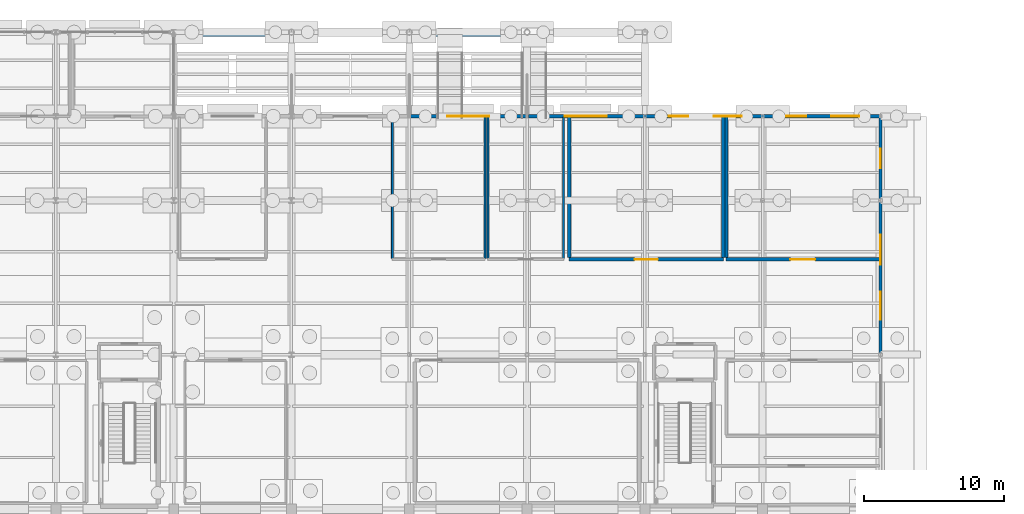
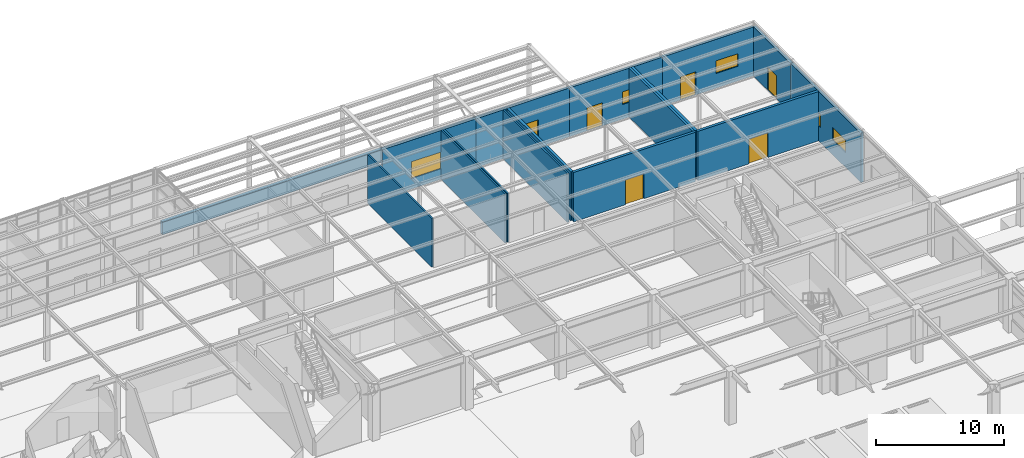
# One storey, part 110 of 129: 16 walls, 6 windows, 5 doors, 11 openings.
"""IFC4 building model written with IfcOpenShell, lengths in metres."""

from ifc_helpers import new_model, si_unit, direction, frame, frame_2d, origin, place, context, subcontext, project, spatial, rectangle, extrude, material, layer, layer_set, type_object, element, fill, save


model = new_model("IFC4")

# Units and contexts
model_context = context("Model", 3, precision=1e-05, world=origin(), true_north=direction((0.0, 1.0)))
body_context = subcontext(model_context, "Body", "Model", "MODEL_VIEW")
ifc_project = project(units=[si_unit("LENGTHUNIT", "METRE"), si_unit("AREAUNIT", "SQUARE_METRE"), si_unit("VOLUMEUNIT", "CUBIC_METRE"), si_unit("PLANEANGLEUNIT", "RADIAN"), si_unit("MASSUNIT", "GRAM", prefix="KILO")], contexts=[model_context])

# Site, building, storey
site_placement = place(None, origin())
site = spatial("IfcSite", under=ifc_project, at=site_placement, CompositionType="ELEMENT")
building_placement = place(site_placement, origin())
building = spatial("IfcBuilding", under=site, at=building_placement, Name="Sitalva Quay Ferry Terminal", CompositionType="ELEMENT")
storey_placement = place(building_placement, origin())
storey = spatial("IfcBuildingStorey", under=building, at=storey_placement, Name="L01", CompositionType="ELEMENT", Elevation=0.0)

# Wall, opening, window
ifc_material_1 = material(Name="Insulated Precast Concrete C40/50", Category="concrete")
ifc_layer_1 = layer(ifc_material_1, 0.239990234375)
ifc_layer_set_1 = layer_set([ifc_layer_1], Name="Insulated Precast Concrete C40/50")
wall_type_1 = type_object("IfcWallType", Name="Wall_ExtClad_240", PredefinedType="ELEMENTEDWALL", material=ifc_layer_set_1)
wall_1_placement = place(storey_placement, frame((134.485107421875, 106.0, 0.0), z_axis=(0.0, 0.0, 1.0), x_axis=(1.0, 0.0, 0.0)))
wall_1 = element("IfcWall", 1, at=wall_1_placement, inside=storey, type_object=wall_type_1, Name="L01 north-east landside facade EW-L01-148", PredefinedType="ELEMENTEDWALL", context=body_context, shape_type="SweptSolid", body=[
    extrude(rectangle(XDim=8.411865234375, YDim=0.239990234375, at=frame_2d((4.2060546875, 0.0))), origin(), (0.0, 0.0, 1.0), 4.657958984375),
])
opening_1_placement = place(wall_1_placement, frame((2.614990234375, 0.0, 1.0)))
opening_1 = element("IfcOpeningElement", 2, at=opening_1_placement, cuts=wall_1, Name="Opening WN-L01-020", PredefinedType="OPENING", context=body_context, shape_type="SweptSolid", body=[
    extrude(rectangle(XDim=3.0, YDim=1.60009765625, at=frame_2d((1.5, 0.800048828125))), frame((0.0, 0.1298828125, 0.0), z_axis=(0.0, -1.0, 0.0), x_axis=(1.0, 0.0, 0.0)), (0.0, 0.0, 1.0), 0.260009765625),
])
ifc_material_2 = material(Name="Anodised Aluminium & Low-E Glass", Category="aluminium")
window_type_1 = type_object("IfcWindowType", Name="Win_Ribbon_3000x1600", PartitioningType="SINGLE_PANEL", PredefinedType="WINDOW", material=ifc_material_2)
window_1_placement = place(opening_1_placement, origin())
window_1 = element("IfcWindow", 3, at=window_1_placement, inside=storey, type_object=window_type_1, Name="Landside north-east ribbon window WN-L01-020", OverallHeight=1.60009765625, OverallWidth=3.0, PartitioningType="SINGLE_PANEL", PredefinedType="WINDOW", context=body_context, shape_type="SweptSolid", body=[
    extrude(rectangle(XDim=3.0, YDim=1.60009765625, at=frame_2d((1.5, 0.800048828125))), frame((0.0, 0.030029296875, 0.0), z_axis=(0.0, -1.0, 0.0), x_axis=(1.0, 0.0, 0.0)), (0.0, 0.0, 1.0), 0.06005859375),
])
fill(opening_1, window_1)

wall_2_placement = place(storey_placement, frame((142.885009765625, 106.0, 0.0), z_axis=(0.0, 0.0, 1.0), x_axis=(1.0, 0.0, 0.0)))
wall_2 = element("IfcWall", 4, at=wall_2_placement, inside=storey, type_object=wall_type_1, Name="L01 north-east landside facade EW-L01-149", PredefinedType="ELEMENTEDWALL", context=body_context, shape_type="SweptSolid", body=[
    extrude(rectangle(XDim=8.412109375, YDim=0.239990234375, at=frame_2d((4.2060546875, 0.0))), origin(), (0.0, 0.0, 1.0), 4.657958984375),
])
opening_2_placement = place(wall_2_placement, frame((2.614990234375, 0.0, 1.0)))
opening_2 = element("IfcOpeningElement", 5, at=opening_2_placement, cuts=wall_2, Name="Opening WN-L01-021", PredefinedType="OPENING", context=body_context, shape_type="SweptSolid", body=[
    extrude(rectangle(XDim=3.0, YDim=1.60009765625, at=frame_2d((1.5, 0.800048828125))), frame((0.0, 0.1298828125, 0.0), z_axis=(0.0, -1.0, 0.0), x_axis=(1.0, 0.0, 0.0)), (0.0, 0.0, 1.0), 0.260009765625),
])
window_2_placement = place(opening_2_placement, origin())
window_2 = element("IfcWindow", 6, at=window_2_placement, inside=storey, type_object=window_type_1, Name="Landside north-east ribbon window WN-L01-021", OverallHeight=1.60009765625, OverallWidth=3.0, PartitioningType="SINGLE_PANEL", PredefinedType="WINDOW", context=body_context, shape_type="SweptSolid", body=[
    extrude(rectangle(XDim=3.0, YDim=1.60009765625, at=frame_2d((1.5, 0.800048828125))), frame((0.0, 0.030029296875, 0.0), z_axis=(0.0, -1.0, 0.0), x_axis=(1.0, 0.0, 0.0)), (0.0, 0.0, 1.0), 0.06005859375),
])
fill(opening_2, window_2)

# Wall, openings, door, window
wall_3_placement = place(storey_placement, frame((151.284912109375, 106.0, 0.0), z_axis=(0.0, 0.0, 1.0), x_axis=(1.0, 0.0, 0.0)))
wall_3 = element("IfcWall", 7, at=wall_3_placement, inside=storey, type_object=wall_type_1, Name="L01 north-east landside facade EW-L01-150", PredefinedType="ELEMENTEDWALL", context=body_context, shape_type="SweptSolid", body=[
    extrude(rectangle(XDim=8.412109375, YDim=0.239990234375, at=frame_2d((4.2060546875, 0.0))), origin(), (0.0, 0.0, 1.0), 4.657958984375),
])
opening_3_placement = place(wall_3_placement, frame((1.614990234375, 0.0, 0.0)))
opening_3 = element("IfcOpeningElement", 8, at=opening_3_placement, cuts=wall_3, Name="Opening ED-L01-029", PredefinedType="OPENING", context=body_context, shape_type="SweptSolid", body=[
    extrude(rectangle(XDim=1.39990234375, YDim=2.199951171875, at=frame_2d((0.699951171875, 1.10009765625))), frame((0.0, 0.1298828125, 0.0), z_axis=(0.0, -1.0, 0.0), x_axis=(1.0, 0.0, 0.0)), (0.0, 0.0, 1.0), 0.260009765625),
])
opening_4_placement = place(wall_3_placement, frame((4.81494140625, 0.0, 1.39990234375)))
opening_4 = element("IfcOpeningElement", 9, at=opening_4_placement, cuts=wall_3, Name="Opening WN-L01-022", PredefinedType="OPENING", context=body_context, shape_type="SweptSolid", body=[
    extrude(rectangle(XDim=2.0, YDim=1.199951171875, at=frame_2d((1.0, 0.60009765625))), frame((0.0, 0.1298828125, 0.0), z_axis=(0.0, -1.0, 0.0), x_axis=(1.0, 0.0, 0.0)), (0.0, 0.0, 1.0), 0.260009765625),
])
ifc_material_3 = material(Name="Galvanised Louvred Steel", Category="steel")
door_type_1 = type_object("IfcDoorType", Name="Door_PlantExt_1400x2200", OperationType="DOUBLE_DOOR_SINGLE_SWING", PredefinedType="DOOR", material=ifc_material_3)
door_1_placement = place(opening_3_placement, origin())
door_1 = element("IfcDoor", 10, at=door_1_placement, inside=storey, type_object=door_type_1, Name="EDOOR-ED-L01-029 MEP plant yard service door ED-L01-029", OperationType="DOUBLE_DOOR_SINGLE_SWING", OverallHeight=2.199951171875, OverallWidth=1.39990234375, PredefinedType="DOOR", context=body_context, shape_type="SweptSolid", body=[
    extrude(rectangle(XDim=1.39990234375, YDim=2.199951171875, at=frame_2d((0.699951171875, 1.10009765625))), frame((0.0, 0.02490234375, 0.0), z_axis=(0.0, -1.0, 0.0), x_axis=(1.0, 0.0, 0.0)), (0.0, 0.0, 1.0), 0.050048828125),
])
fill(opening_3, door_1)
ifc_material_4 = material(Name="Marine Aluminium Acoustic Louvre", Category="aluminium")
window_type_2 = type_object("IfcWindowType", Name="Win_LouvredVent_2000x1200", PartitioningType="SINGLE_PANEL", PredefinedType="WINDOW", material=ifc_material_4)
window_3_placement = place(opening_4_placement, origin())
window_3 = element("IfcWindow", 11, at=window_3_placement, inside=storey, type_object=window_type_2, Name="Plant acoustic intake louvre WN-L01-022", OverallHeight=1.199951171875, OverallWidth=2.0, PartitioningType="SINGLE_PANEL", PredefinedType="WINDOW", context=body_context, shape_type="SweptSolid", body=[
    extrude(rectangle(XDim=2.0, YDim=1.199951171875, at=frame_2d((1.0, 0.60009765625))), frame((0.0, 0.030029296875, 0.0), z_axis=(0.0, -1.0, 0.0), x_axis=(1.0, 0.0, 0.0)), (0.0, 0.0, 1.0), 0.06005859375),
])
fill(opening_4, window_3)

wall_4_placement = place(storey_placement, frame((159.68505859375, 106.0, 0.0), z_axis=(0.0, 0.0, 1.0), x_axis=(1.0, 0.0, 0.0)))
wall_4 = element("IfcWall", 12, at=wall_4_placement, inside=storey, type_object=wall_type_1, Name="L01 north-east landside facade EW-L01-151", PredefinedType="ELEMENTEDWALL", context=body_context, shape_type="SweptSolid", body=[
    extrude(rectangle(XDim=8.22998046875, YDim=0.239990234375, at=frame_2d((4.114990234375, 0.0))), origin(), (0.0, 0.0, 1.0), 4.657958984375),
])
opening_5_placement = place(wall_4_placement, frame((1.614990234375, 0.0, 0.0)))
opening_5 = element("IfcOpeningElement", 13, at=opening_5_placement, cuts=wall_4, Name="Opening ED-L01-030", PredefinedType="OPENING", context=body_context, shape_type="SweptSolid", body=[
    extrude(rectangle(XDim=1.39990234375, YDim=2.199951171875, at=frame_2d((0.699951171875, 1.10009765625))), frame((0.0, 0.1298828125, 0.0), z_axis=(0.0, -1.0, 0.0), x_axis=(1.0, 0.0, 0.0)), (0.0, 0.0, 1.0), 0.260009765625),
])
opening_6_placement = place(wall_4_placement, frame((4.81494140625, 0.0, 1.39990234375)))
opening_6 = element("IfcOpeningElement", 14, at=opening_6_placement, cuts=wall_4, Name="Opening WN-L01-023", PredefinedType="OPENING", context=body_context, shape_type="SweptSolid", body=[
    extrude(rectangle(XDim=2.0, YDim=1.199951171875, at=frame_2d((1.0, 0.60009765625))), frame((0.0, 0.1298828125, 0.0), z_axis=(0.0, -1.0, 0.0), x_axis=(1.0, 0.0, 0.0)), (0.0, 0.0, 1.0), 0.260009765625),
])
door_2_placement = place(opening_5_placement, origin())
door_2 = element("IfcDoor", 15, at=door_2_placement, inside=storey, type_object=door_type_1, Name="EDOOR-ED-L01-030 MEP plant yard service door ED-L01-030", OperationType="DOUBLE_DOOR_SINGLE_SWING", OverallHeight=2.199951171875, OverallWidth=1.39990234375, PredefinedType="DOOR", context=body_context, shape_type="SweptSolid", body=[
    extrude(rectangle(XDim=1.39990234375, YDim=2.199951171875, at=frame_2d((0.699951171875, 1.10009765625))), frame((0.0, 0.02490234375, 0.0), z_axis=(0.0, -1.0, 0.0), x_axis=(1.0, 0.0, 0.0)), (0.0, 0.0, 1.0), 0.050048828125),
])
fill(opening_5, door_2)
window_4_placement = place(opening_6_placement, origin())
window_4 = element("IfcWindow", 16, at=window_4_placement, inside=storey, type_object=window_type_2, Name="Plant acoustic intake louvre WN-L01-023", OverallHeight=1.199951171875, OverallWidth=2.0, PartitioningType="SINGLE_PANEL", PredefinedType="WINDOW", context=body_context, shape_type="SweptSolid", body=[
    extrude(rectangle(XDim=2.0, YDim=1.199951171875, at=frame_2d((1.0, 0.60009765625))), frame((0.0, 0.030029296875, 0.0), z_axis=(0.0, -1.0, 0.0), x_axis=(1.0, 0.0, 0.0)), (0.0, 0.0, 1.0), 0.06005859375),
])
fill(opening_6, window_4)

# Wall, openings, windows
wall_5_placement = place(storey_placement, frame((168.0, 89.110107421875, 0.0), z_axis=(0.0, 0.0, 1.0), x_axis=(0.0, 1.0, 0.0)))
wall_5 = element("IfcWall", 17, at=wall_5_placement, inside=storey, type_object=wall_type_1, Name="L01 far-east plant wing wall EW-L01-158", PredefinedType="ELEMENTEDWALL", context=body_context, shape_type="SweptSolid", body=[
    extrude(rectangle(XDim=11.011962890625, YDim=0.239990234375, at=frame_2d((5.505859375, 0.0))), origin(), (0.0, 0.0, 1.0), 4.700927734375),
])
opening_7_placement = place(wall_5_placement, frame((2.389892578125, 0.0, 1.39990234375)))
opening_7 = element("IfcOpeningElement", 18, at=opening_7_placement, cuts=wall_5, Name="Opening WN-L01-031", PredefinedType="OPENING", context=body_context, shape_type="SweptSolid", body=[
    extrude(rectangle(XDim=2.0, YDim=1.199951171875, at=frame_2d((1.0, 0.60009765625))), frame((0.0, 0.1298828125, 0.0), z_axis=(0.0, -1.0, 0.0), x_axis=(1.0, 0.0, 0.0)), (0.0, 0.0, 1.0), 0.260009765625),
])
opening_8_placement = place(wall_5_placement, frame((6.2900390625, 0.0, 1.39990234375)))
opening_8 = element("IfcOpeningElement", 19, at=opening_8_placement, cuts=wall_5, Name="Opening WN-L01-032", PredefinedType="OPENING", context=body_context, shape_type="SweptSolid", body=[
    extrude(rectangle(XDim=2.14990234375, YDim=1.25, at=frame_2d((1.074951171875, 0.625))), frame((0.0, 0.1298828125, 0.0), z_axis=(0.0, -1.0, 0.0), x_axis=(1.0, 0.0, 0.0)), (0.0, 0.0, 1.0), 0.260009765625),
])
ifc_material_5 = material(Name="Marine Aluminium Acoustic Louvre", Category="aluminium")
window_type_3 = type_object("IfcWindowType", Name="Win_LouvreB_2150x1250", PartitioningType="SINGLE_PANEL", PredefinedType="WINDOW", material=ifc_material_5)
window_5_placement = place(opening_8_placement, origin())
window_5 = element("IfcWindow", 20, at=window_5_placement, inside=storey, type_object=window_type_3, Name="East chiller plant louvre WN-L01-032", OverallHeight=1.25, OverallWidth=2.14990234375, PartitioningType="SINGLE_PANEL", PredefinedType="WINDOW", context=body_context, shape_type="SweptSolid", body=[
    extrude(rectangle(XDim=2.14990234375, YDim=1.25, at=frame_2d((1.074951171875, 0.625))), frame((0.0, 0.030029296875, 0.0), z_axis=(0.0, -1.0, 0.0), x_axis=(1.0, 0.0, 0.0)), (0.0, 0.0, 1.0), 0.06005859375),
])
fill(opening_8, window_5)
window_6_placement = place(opening_7_placement, origin())
window_6 = element("IfcWindow", 21, at=window_6_placement, inside=storey, type_object=window_type_2, Name="East substation acoustic louvre WN-L01-031", OverallHeight=1.199951171875, OverallWidth=2.0, PartitioningType="SINGLE_PANEL", PredefinedType="WINDOW", context=body_context, shape_type="SweptSolid", body=[
    extrude(rectangle(XDim=2.0, YDim=1.199951171875, at=frame_2d((1.0, 0.60009765625))), frame((0.0, 0.030029296875, 0.0), z_axis=(0.0, -1.0, 0.0), x_axis=(1.0, 0.0, 0.0)), (0.0, 0.0, 1.0), 0.06005859375),
])
fill(opening_7, window_6)

# Wall, opening, door
wall_6_placement = place(storey_placement, frame((168.0, 100.110107421875, 0.0), z_axis=(0.0, 0.0, 1.0), x_axis=(0.0, 1.0, 0.0)))
wall_6 = element("IfcWall", 22, at=wall_6_placement, inside=storey, type_object=wall_type_1, Name="L01 far-east plant wing wall EW-L01-159", PredefinedType="ELEMENTEDWALL", context=body_context, shape_type="SweptSolid", body=[
    extrude(rectangle(XDim=5.804931640625, YDim=0.239990234375, at=frame_2d((2.90234375, 0.0))), origin(), (0.0, 0.0, 1.0), 4.700927734375),
])
opening_9_placement = place(wall_6_placement, frame((2.18994140625, 0.0, 0.0)))
opening_9 = element("IfcOpeningElement", 23, at=opening_9_placement, cuts=wall_6, Name="Opening ED-L01-037", PredefinedType="OPENING", context=body_context, shape_type="SweptSolid", body=[
    extrude(rectangle(XDim=1.39990234375, YDim=2.199951171875, at=frame_2d((0.699951171875, 1.10009765625))), frame((0.0, 0.1298828125, 0.0), z_axis=(0.0, -1.0, 0.0), x_axis=(1.0, 0.0, 0.0)), (0.0, 0.0, 1.0), 0.260009765625),
])
door_3_placement = place(opening_9_placement, origin())
door_3 = element("IfcDoor", 24, at=door_3_placement, inside=storey, type_object=door_type_1, Name="EDOOR-ED-L01-037 East plant service door ED-L01-037", OperationType="DOUBLE_DOOR_SINGLE_SWING", OverallHeight=2.199951171875, OverallWidth=1.39990234375, PredefinedType="DOOR", context=body_context, shape_type="SweptSolid", body=[
    extrude(rectangle(XDim=1.39990234375, YDim=2.199951171875, at=frame_2d((0.699951171875, 1.10009765625))), frame((0.0, 0.02490234375, 0.0), z_axis=(0.0, -1.0, 0.0), x_axis=(1.0, 0.0, 0.0)), (0.0, 0.0, 1.0), 0.050048828125),
])
fill(opening_9, door_3)

ifc_material_6 = material(Name="High-Density Concrete C35/45", Category="concrete")
ifc_layer_2 = layer(ifc_material_6, 0.239990234375)
ifc_layer_set_2 = layer_set([ifc_layer_2], Name="High-Density Concrete C35/45")
wall_type_2 = type_object("IfcWallType", Name="Wall_PlantAcoustic_240", PredefinedType="SOLIDWALL", material=ifc_layer_set_2)
wall_7_placement = place(storey_placement, frame((145.800048828125, 95.800048828125, 0.0), z_axis=(0.0, 0.0, 1.0), x_axis=(1.0, 0.0, 0.0)))
wall_7 = element("IfcWall", 25, at=wall_7_placement, inside=storey, type_object=wall_type_2, Name="HV Electrical Substation & Switchroom S wall IW-L01-0185", PredefinedType="SOLIDWALL", context=body_context, shape_type="SweptSolid", body=[
    extrude(rectangle(XDim=11.0, YDim=0.239990234375, at=frame_2d((5.5, 0.0))), origin(), (0.0, 0.0, 1.0), 4.702880859375),
])
opening_10_placement = place(wall_7_placement, frame((4.675048828125, 0.0, 0.0)))
opening_10 = element("IfcOpeningElement", 26, at=opening_10_placement, cuts=wall_7, Name="Opening ID-L01-066", PredefinedType="OPENING", context=body_context, shape_type="SweptSolid", body=[
    extrude(rectangle(XDim=1.64990234375, YDim=2.35009765625, at=frame_2d((0.824951171875, 1.175048828125))), frame((0.0, 0.1298828125, 0.0), z_axis=(0.0, -1.0, 0.0), x_axis=(1.0, 0.0, 0.0)), (0.0, 0.0, 1.0), 0.260009765625),
])
ifc_material_7 = material(Name="Louvred Steel Substation Door", Category="steel")
door_type_2 = type_object("IfcDoorType", Name="Door_Substation_1650x2350", OperationType="DOUBLE_DOOR_SINGLE_SWING", PredefinedType="DOOR", material=ifc_material_7)
door_4_placement = place(opening_10_placement, origin())
door_4 = element("IfcDoor", 27, at=door_4_placement, inside=storey, type_object=door_type_2, Name="IDOOR-ID-L01-066 HV Electrical Substation & Switchroom entrance ID-L01-066", OperationType="DOUBLE_DOOR_SINGLE_SWING", OverallHeight=2.35009765625, OverallWidth=1.64990234375, PredefinedType="DOOR", context=body_context, shape_type="SweptSolid", body=[
    extrude(rectangle(XDim=1.64990234375, YDim=2.35009765625, at=frame_2d((0.824951171875, 1.175048828125))), frame((0.0, 0.02490234375, 0.0), z_axis=(0.0, -1.0, 0.0), x_axis=(1.0, 0.0, 0.0)), (0.0, 0.0, 1.0), 0.050048828125),
])
fill(opening_10, door_4)

# Walls
for number, where, z_axis, x_axis, name in (
    (28, (145.800048828125, 95.919921875, 0.0), (0.0, 0.0, 1.0), (0.0, 1.0, 0.0), "HV Electrical Substation & Switchroom W wall IW-L01-0186"),
    (29, (156.800048828125, 95.919921875, 0.0), (0.0, 0.0, 1.0), (0.0, 1.0, 0.0), "HV Electrical Substation & Switchroom E wall IW-L01-0187"),
):
    element("IfcWall", number, at=place(storey_placement, frame(where, z_axis=z_axis, x_axis=x_axis)), inside=storey, type_object=wall_type_2, Name=name, PredefinedType="SOLIDWALL", context=body_context, shape_type="SweptSolid", body=[
        extrude(rectangle(XDim=10.0, YDim=0.239990234375, at=frame_2d((5.0, 0.0))), origin(), (0.0, 0.0, 1.0), 4.659912109375),
    ])

# Wall, opening, door
wall_8_placement = place(storey_placement, frame((157.0, 95.800048828125, 0.0), z_axis=(0.0, 0.0, 1.0), x_axis=(1.0, 0.0, 0.0)))
wall_8 = element("IfcWall", 30, at=wall_8_placement, inside=storey, type_object=wall_type_2, Name="Water-Cooled Chiller & Pump Plant Room S wall IW-L01-0188", PredefinedType="SOLIDWALL", context=body_context, shape_type="SweptSolid", body=[
    extrude(rectangle(XDim=10.919921875, YDim=0.239990234375, at=frame_2d((5.4599609375, 0.0))), origin(), (0.0, 0.0, 1.0), 4.702880859375),
])
opening_11_placement = place(wall_8_placement, frame((4.5849609375, 0.0, 0.0)))
opening_11 = element("IfcOpeningElement", 31, at=opening_11_placement, cuts=wall_8, Name="Opening ID-L01-067", PredefinedType="OPENING", context=body_context, shape_type="SweptSolid", body=[
    extrude(rectangle(XDim=1.75, YDim=2.35009765625, at=frame_2d((0.875, 1.175048828125))), frame((0.0, 0.1298828125, 0.0), z_axis=(0.0, -1.0, 0.0), x_axis=(1.0, 0.0, 0.0)), (0.0, 0.0, 1.0), 0.260009765625),
])
ifc_material_8 = material(Name="Heavy Acoustic Steel Plant Door", Category="steel")
door_type_3 = type_object("IfcDoorType", Name="Door_Chiller_1750x2350", OperationType="DOUBLE_DOOR_SINGLE_SWING", PredefinedType="DOOR", material=ifc_material_8)
door_5_placement = place(opening_11_placement, origin())
door_5 = element("IfcDoor", 32, at=door_5_placement, inside=storey, type_object=door_type_3, Name="IDOOR-ID-L01-067 Water-Cooled Chiller & Pump Plant Room entrance ID-L01-067", OperationType="DOUBLE_DOOR_SINGLE_SWING", OverallHeight=2.35009765625, OverallWidth=1.75, PredefinedType="DOOR", context=body_context, shape_type="SweptSolid", body=[
    extrude(rectangle(XDim=1.75, YDim=2.35009765625, at=frame_2d((0.875, 1.175048828125))), frame((0.0, 0.02490234375, 0.0), z_axis=(0.0, -1.0, 0.0), x_axis=(1.0, 0.0, 0.0)), (0.0, 0.0, 1.0), 0.050048828125),
])
fill(opening_11, door_5)

# Walls
wall_9_placement = place(storey_placement, frame((157.0, 95.919921875, 0.0), z_axis=(0.0, 0.0, 1.0), x_axis=(0.0, 1.0, 0.0)))
element("IfcWall", 33, at=wall_9_placement, inside=storey, type_object=wall_type_2, Name="Water-Cooled Chiller & Pump Plant Room W wall IW-L01-0189", PredefinedType="SOLIDWALL", context=body_context, shape_type="SweptSolid", body=[
    extrude(rectangle(XDim=10.0, YDim=0.239990234375, at=frame_2d((5.0, 0.0))), origin(), (0.0, 0.0, 1.0), 4.659912109375),
])
ifc_material_9 = material(Name="Concrete C40/50", Category="concrete")
ifc_layer_3 = layer(ifc_material_9, 0.320068359375)
ifc_layer_set_3 = layer_set([ifc_layer_3], Name="Concrete C40/50")
wall_type_3 = type_object("IfcWallType", Name="Wall_Retaining_320", PredefinedType="POLYGONAL", material=ifc_layer_set_3)
wall_10_placement = place(storey_placement, frame((118.0, 111.840087890625, -1.199951171875), z_axis=(0.0, 0.0, 1.0), x_axis=(1.0, 0.0, 0.0)))
element("IfcWall", 34, at=wall_10_placement, inside=storey, type_object=wall_type_3, Name="East forecourt flood retaining wall EW-L01-137", PredefinedType="POLYGONAL", context=body_context, shape_type="SweptSolid", body=[
    extrude(rectangle(XDim=33.199951171875, YDim=0.320068359375, at=frame_2d((16.60009765625, 0.0))), origin(), (0.0, 0.0, 1.0), 1.199951171875),
])
ifc_material_10 = material(Name="Moisture-Resistant Cement Board Partition", Category="gypsum")
ifc_layer_4 = layer(ifc_material_10, 0.139892578125)
ifc_layer_set_4 = layer_set([ifc_layer_4], Name="Moisture-Resistant Cement Board Partition")
wall_type_4 = type_object("IfcWallType", Name="Wall_WetRoom_140", PredefinedType="PARTITIONING", material=ifc_layer_set_4)
for number, where, z_axis, x_axis, name in (
    (35, (133.199951171875, 95.8701171875, 0.0), (0.0, 0.0, 1.0), (0.0, 1.0, 0.0), "East Concourse Female Public Toilets W wall IW-L01-0180"),
    (36, (139.800048828125, 95.8701171875, 0.0), (0.0, 0.0, 1.0), (0.0, 1.0, 0.0), "East Concourse Female Public Toilets E wall IW-L01-0181"),
    (37, (140.0, 95.8701171875, 0.0), (0.0, 0.0, 1.0), (0.0, 1.0, 0.0), "East Concourse Accessible WC W wall IW-L01-0183"),
    (38, (145.39990234375, 95.8701171875, 0.0), (0.0, 0.0, 1.0), (0.0, 1.0, 0.0), "East Concourse Accessible WC E wall IW-L01-0184"),
):
    element("IfcWall", number, at=place(storey_placement, frame(where, z_axis=z_axis, x_axis=x_axis)), inside=storey, type_object=wall_type_4, Name=name, PredefinedType="PARTITIONING", context=body_context, shape_type="SweptSolid", body=[
        extrude(rectangle(XDim=10.0498046875, YDim=0.139892578125, at=frame_2d((5.02490234375, 0.0))), origin(), (0.0, 0.0, 1.0), 4.659912109375),
    ])

save(model, "model.ifc")
